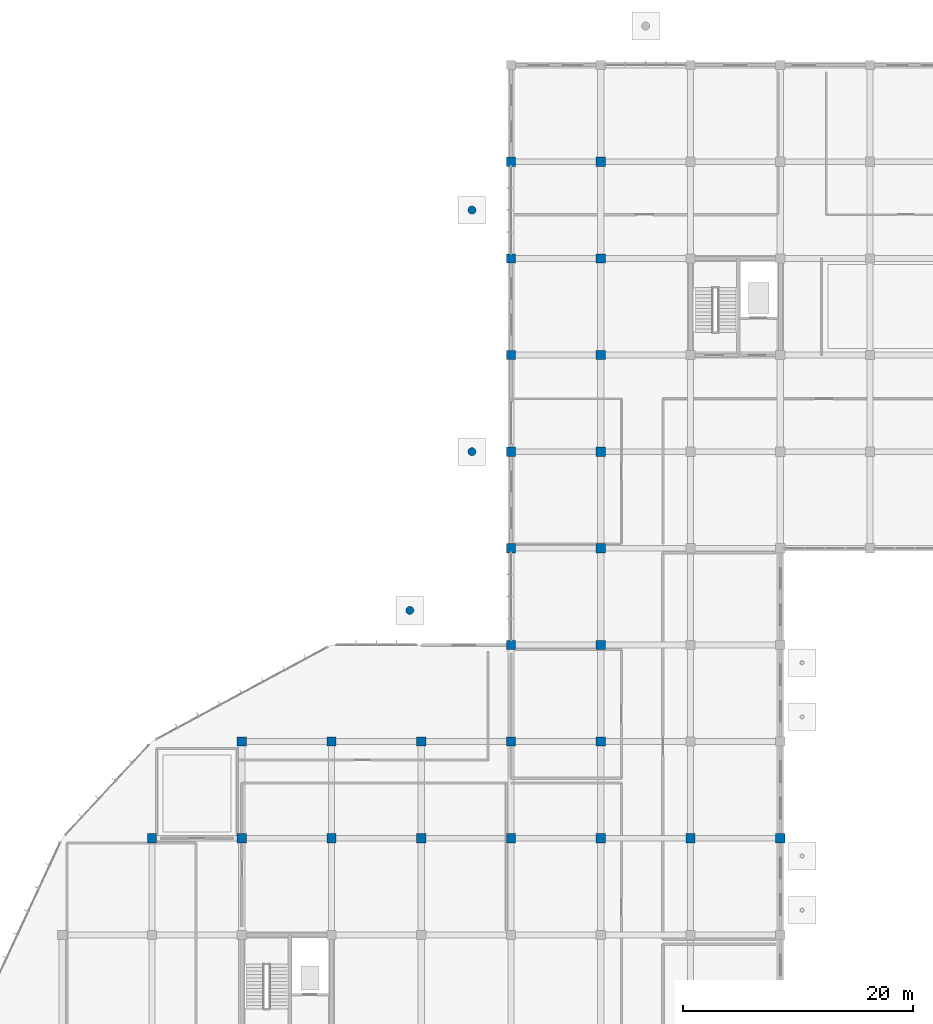
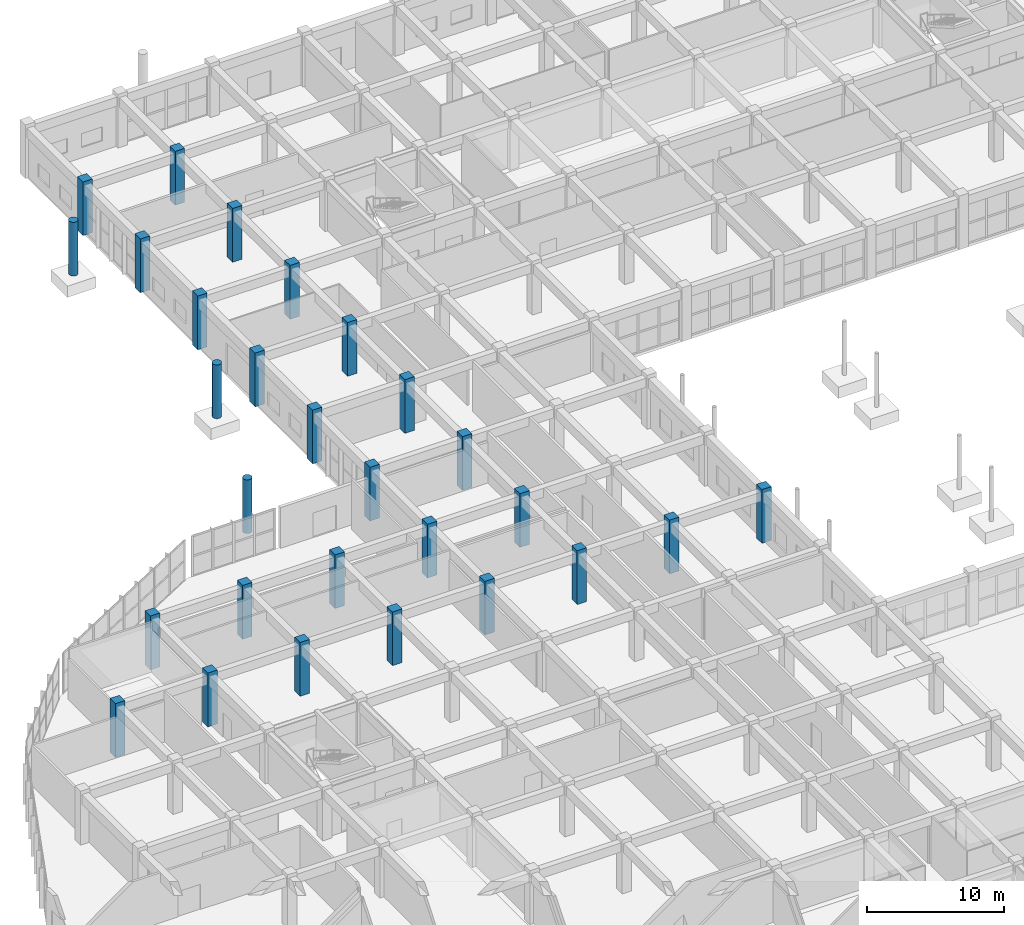
# One storey, part 5 of 139: 28 columns.
"""IFC4 building model written with IfcOpenShell, lengths in metres."""

from ifc_helpers import new_model, si_unit, direction, frame, origin, origin_2d, place, context, subcontext, project, spatial, rectangle, circle, extrude, material, material_profile, profile_set, type_object, element, save


model = new_model("IFC4")

# Units and contexts
model_context = context("Model", 3, precision=1e-05, world=origin(), true_north=direction((0.0, 1.0)))
body_context = subcontext(model_context, "Body", "Model", "MODEL_VIEW")
ifc_project = project(units=[si_unit("LENGTHUNIT", "METRE"), si_unit("AREAUNIT", "SQUARE_METRE"), si_unit("VOLUMEUNIT", "CUBIC_METRE"), si_unit("PLANEANGLEUNIT", "RADIAN"), si_unit("MASSUNIT", "GRAM", prefix="KILO")], contexts=[model_context])

# Site, building, storey
site_placement = place(None, origin())
site = spatial("IfcSite", under=ifc_project, at=site_placement, CompositionType="ELEMENT")
building_placement = place(site_placement, origin())
building = spatial("IfcBuilding", under=site, at=building_placement, Name="Zizhar Promenade General Hospital", CompositionType="ELEMENT")
storey_placement = place(building_placement, origin())
storey = spatial("IfcBuildingStorey", under=building, at=storey_placement, Name="L00", CompositionType="ELEMENT", Elevation=0.0)

# Columns
ifc_material_1 = material(Name="Concrete C40/50", Category="concrete")
ifc_material_profile_1 = material_profile(ifc_material_1, circle(Radius=0.35009765625, at=origin_2d()))
ifc_profile_set_1 = profile_set([ifc_material_profile_1], Name="Concrete C40/50")
column_type_1 = type_object("IfcColumnType", Name="COL-CIRC-700", PredefinedType="PILASTER", material=ifc_profile_set_1)
for number, where, z_axis, x_axis, name in (
    (1, (38.0, 87.0, 0.0), (0.0, 0.0, 1.0), (1.0, 0.0, 0.0), "Base Roof Colonnade Column 03 (L00)"),
    (2, (43.39990234375, 100.800048828125, 0.0), (0.0, 0.0, 1.0), (1.0, 0.0, 0.0), "Base Roof Colonnade Column 04 (L00)"),
    (3, (43.39990234375, 121.800048828125, 0.0), (0.0, 0.0, 1.0), (1.0, 0.0, 0.0), "Base Roof Colonnade Column 05 (L00)"),
):
    element("IfcColumn", number, at=place(storey_placement, frame(where, z_axis=z_axis, x_axis=x_axis)), inside=storey, type_object=column_type_1, Name=name, PredefinedType="PILASTER", context=body_context, shape_type="SweptSolid", body=[
        extrude(circle(Radius=0.35009765625, at=origin_2d()), origin(), (0.0, 0.0, 1.0), 4.800048828125),
    ])
ifc_material_2 = material(Name="Concrete C40/50", Category="concrete")
ifc_material_profile_2 = material_profile(ifc_material_2, rectangle(XDim=0.800048828125, YDim=0.800048828125, at=origin_2d()))
ifc_profile_set_2 = profile_set([ifc_material_profile_2], Name="Concrete C40/50")
column_type_2 = type_object("IfcColumnType", Name="COL-RC-800", PredefinedType="COLUMN", material=ifc_profile_set_2)
for number, where, z_axis, x_axis, name in (
    (4, (15.60009765625, 67.199951171875, 0.0), (0.0, 0.0, 1.0), (1.0, 0.0, 0.0), "Column 3-J (L00)"),
    (5, (23.39990234375, 67.199951171875, 0.0), (0.0, 0.0, 1.0), (1.0, 0.0, 0.0), "Column 4-J (L00)"),
    (6, (23.39990234375, 75.60009765625, 0.0), (0.0, 0.0, 1.0), (1.0, 0.0, 0.0), "Column 4-K (L00)"),
    (7, (31.199951171875, 67.199951171875, 0.0), (0.0, 0.0, 1.0), (1.0, 0.0, 0.0), "Column 5-J (L00)"),
    (8, (31.199951171875, 75.60009765625, 0.0), (0.0, 0.0, 1.0), (1.0, 0.0, 0.0), "Column 5-K (L00)"),
    (9, (39.0, 67.199951171875, 0.0), (0.0, 0.0, 1.0), (1.0, 0.0, 0.0), "Column 6-J (L00)"),
    (10, (39.0, 75.60009765625, 0.0), (0.0, 0.0, 1.0), (1.0, 0.0, 0.0), "Column 6-K (L00)"),
    (11, (46.800048828125, 67.199951171875, 0.0), (0.0, 0.0, 1.0), (1.0, 0.0, 0.0), "Column 7-J (L00)"),
    (12, (46.800048828125, 75.60009765625, 0.0), (0.0, 0.0, 1.0), (1.0, 0.0, 0.0), "Column 7-K (L00)"),
    (13, (46.800048828125, 84.0, 0.0), (0.0, 0.0, 1.0), (1.0, 0.0, 0.0), "Column 7-L (L00)"),
    (14, (46.800048828125, 92.39990234375, 0.0), (0.0, 0.0, 1.0), (1.0, 0.0, 0.0), "Column 7-M (L00)"),
    (15, (46.800048828125, 100.800048828125, 0.0), (0.0, 0.0, 1.0), (1.0, 0.0, 0.0), "Column 7-N (L00)"),
    (16, (46.800048828125, 109.199951171875, 0.0), (0.0, 0.0, 1.0), (1.0, 0.0, 0.0), "Column 7-P (L00)"),
    (17, (46.800048828125, 117.60009765625, 0.0), (0.0, 0.0, 1.0), (1.0, 0.0, 0.0), "Column 7-Q (L00)"),
    (18, (46.800048828125, 126.0, 0.0), (0.0, 0.0, 1.0), (1.0, 0.0, 0.0), "Column 7-R (L00)"),
    (19, (54.60009765625, 67.199951171875, 0.0), (0.0, 0.0, 1.0), (1.0, 0.0, 0.0), "Column 8-J (L00)"),
    (20, (54.60009765625, 75.60009765625, 0.0), (0.0, 0.0, 1.0), (1.0, 0.0, 0.0), "Column 8-K (L00)"),
    (21, (54.60009765625, 84.0, 0.0), (0.0, 0.0, 1.0), (1.0, 0.0, 0.0), "Column 8-L (L00)"),
    (22, (54.60009765625, 92.39990234375, 0.0), (0.0, 0.0, 1.0), (1.0, 0.0, 0.0), "Column 8-M (L00)"),
    (23, (54.60009765625, 100.800048828125, 0.0), (0.0, 0.0, 1.0), (1.0, 0.0, 0.0), "Column 8-N (L00)"),
    (24, (54.60009765625, 109.199951171875, 0.0), (0.0, 0.0, 1.0), (1.0, 0.0, 0.0), "Column 8-P (L00)"),
    (25, (54.60009765625, 117.60009765625, 0.0), (0.0, 0.0, 1.0), (1.0, 0.0, 0.0), "Column 8-Q (L00)"),
    (26, (54.60009765625, 126.0, 0.0), (0.0, 0.0, 1.0), (1.0, 0.0, 0.0), "Column 8-R (L00)"),
    (27, (62.39990234375, 67.199951171875, 0.0), (0.0, 0.0, 1.0), (1.0, 0.0, 0.0), "Column 9-J (L00)"),
    (28, (70.199951171875, 67.199951171875, 0.0), (0.0, 0.0, 1.0), (1.0, 0.0, 0.0), "Column 10-J (L00)"),
):
    element("IfcColumn", number, at=place(storey_placement, frame(where, z_axis=z_axis, x_axis=x_axis)), inside=storey, type_object=column_type_2, Name=name, PredefinedType="COLUMN", context=body_context, shape_type="SweptSolid", body=[
        extrude(rectangle(XDim=0.800048828125, YDim=0.800048828125, at=origin_2d()), origin(), (0.0, 0.0, 1.0), 4.800048828125),
    ])

save(model, "model.ifc")
